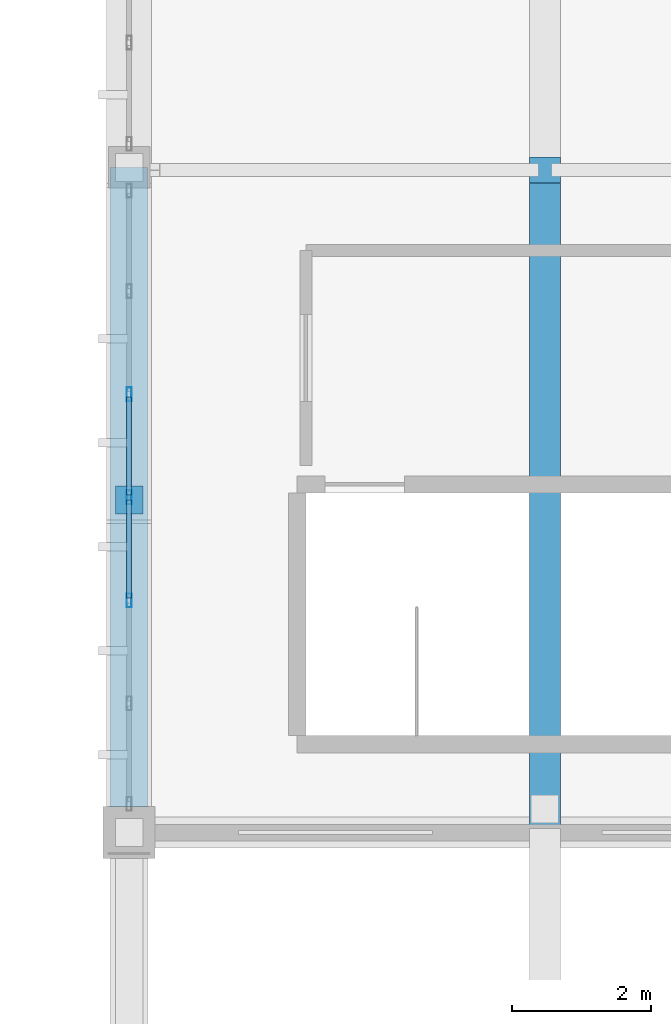
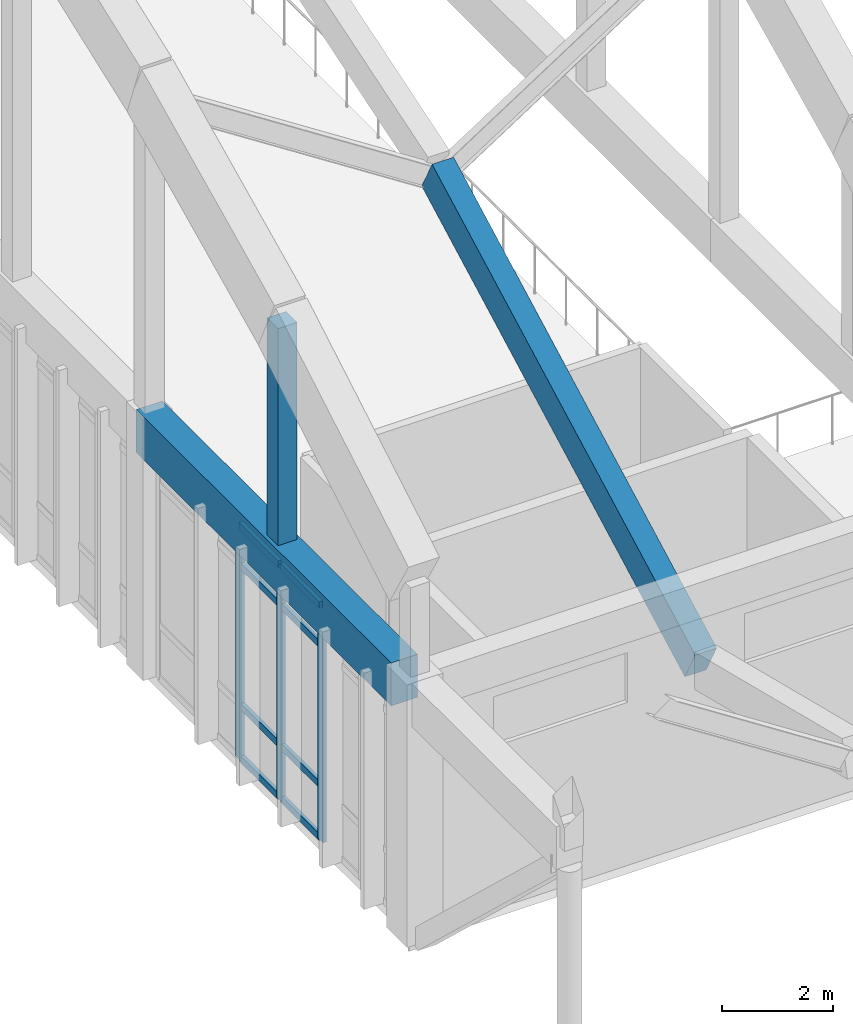
# One storey, part 30 of 236: 12 members, 2 beams, 1 element without a shape of its own.
"""IFC4 building model written with IfcOpenShell, lengths in metres."""

import ifcopenshell
import ifcopenshell.guid

model = None  # the IFC model being written
_history = None  # IfcOwnerHistory: only IFC2X3 demands one
_inside = {}  # id of a spatial element -> (the spatial element, [elements in it])
_under = {}  # id of a project, library or spatial element -> (it, [spatial elements below it])
_declared = {}  # id of a project -> (the project, [libraries it declares])
_typed = {}  # id of a type object -> (the type object, [elements of that type])
_made_of = {}  # id of a material, layer set ... -> (it, [elements and type objects made of it])


def new_model(schema):
    """Start an empty IFC model of exactly this schema.

    Asked for "IFC4X3", IfcOpenShell would pick the latest addendum, in which some entities
    have other attributes; the version numbers below select the first issue.
    IFC2X3 requires an IfcOwnerHistory on every rooted entity: one is made here for all.
    """
    global model, _history
    if schema == "IFC4X3":
        model = ifcopenshell.file(schema_version=(4, 3, 0, 0))
    else:
        model = ifcopenshell.file(schema=schema)
    _inside.clear()
    _under.clear()
    _declared.clear()
    _typed.clear()
    _made_of.clear()
    _history = None
    if model.schema == "IFC2X3":
        org = make("IfcOrganization", Name="unknown")
        user = make(
            "IfcPersonAndOrganization",
            ThePerson=make("IfcPerson", FamilyName="unknown"),
            TheOrganization=org,
        )
        app = make(
            "IfcApplication",
            ApplicationDeveloper=org,
            Version="unknown",
            ApplicationFullName="unknown",
            ApplicationIdentifier="unknown",
        )
        _history = make(
            "IfcOwnerHistory",
            OwningUser=user,
            OwningApplication=app,
            ChangeAction="ADDED",
            CreationDate=0,
        )
    return model


def make(cls, **values):
    """One entity of the class cls with the attributes given. An attribute that is None is left unset."""
    return model.create_entity(
        cls, **{name: value for name, value in values.items() if value is not None}
    )


def rooted(cls, **values):
    """An entity with a GlobalId (a new one), such as an element, a storey or a relation."""
    return make(cls, GlobalId=ifcopenshell.guid.new(), OwnerHistory=_history, **values)


def si_unit(unit_type, name, prefix=None):
    """IfcSIUnit, for example si_unit("LENGTHUNIT", "METRE", prefix="MILLI")."""
    return make("IfcSIUnit", UnitType=unit_type, Prefix=prefix, Name=name)


def assignment(units):
    """IfcUnitAssignment: the units of a project."""
    return None if units is None else make("IfcUnitAssignment", Units=units)


def point(xyz):
    """IfcCartesianPoint."""
    return None if xyz is None else make("IfcCartesianPoint", Coordinates=xyz)


def direction(xyz):
    """IfcDirection."""
    return None if xyz is None else make("IfcDirection", DirectionRatios=xyz)


def frame(location, z_axis=None, x_axis=None):
    """IfcAxis2Placement3D, a coordinate frame: its origin and axes. An axis left out is left unset."""
    return make(
        "IfcAxis2Placement3D",
        Location=point(location),
        Axis=direction(z_axis),
        RefDirection=direction(x_axis),
    )


def frame_2d(location, x_axis=None):
    """IfcAxis2Placement2D, a coordinate frame in the plane: its origin and x axis."""
    return make(
        "IfcAxis2Placement2D", Location=point(location), RefDirection=direction(x_axis)
    )


def origin():
    """The frame at (0, 0, 0) with its axes left unset."""
    return frame((0.0, 0.0, 0.0))


def origin_2d():
    """The frame at (0, 0) in the plane with its x axis left unset."""
    return frame_2d((0.0, 0.0))


def place(relative_to, where):
    """IfcLocalPlacement: puts the frame where relative to a parent placement (None: the world)."""
    return make(
        "IfcLocalPlacement", PlacementRelTo=relative_to, RelativePlacement=where
    )


def context(
    kind, dimensions, precision=None, world=None, true_north=None, identifier=None
):
    """IfcGeometricRepresentationContext, for example the 3D "Model" context."""
    return make(
        "IfcGeometricRepresentationContext",
        ContextIdentifier=identifier,
        ContextType=kind,
        CoordinateSpaceDimension=dimensions,
        Precision=precision,
        WorldCoordinateSystem=world,
        TrueNorth=true_north,
    )


def subcontext(parent, identifier, kind, view, scale=None):
    """IfcGeometricRepresentationSubContext, for example "Body" below "Model"."""
    return make(
        "IfcGeometricRepresentationSubContext",
        ContextIdentifier=identifier,
        ContextType=kind,
        ParentContext=parent,
        TargetScale=scale,
        TargetView=view,
    )


def project(units=None, contexts=None):
    """IfcProject with its units and contexts."""
    return rooted(
        "IfcProject",
        Name="project",
        RepresentationContexts=contexts,
        UnitsInContext=assignment(units),
    )


def spatial(cls, under=None, at=None, **own):
    """A site, building, storey or space (cls), placed at a placement, below another one or the project."""
    s = rooted(cls, ObjectPlacement=at, **own)
    if under is not None:
        _under.setdefault(under.id(), (under, []))[1].append(s)
    return s


def profile(cls, at=None, kind="AREA", **sizes):
    """A parametric profile (cls). Its sizes go by their IFC names, for example OverallWidth=200.0."""
    return make(cls, ProfileType=kind, Position=at, **sizes)


def rectangle(**sizes):
    """IfcRectangleProfileDef."""
    return profile("IfcRectangleProfileDef", **sizes)


def hollow_rectangle(**sizes):
    """IfcRectangleHollowProfileDef."""
    return profile("IfcRectangleHollowProfileDef", **sizes)


def extrude(swept, where, along, depth):
    """IfcExtrudedAreaSolid: the profile swept, set in the frame where, extruded along a direction by depth."""
    return make(
        "IfcExtrudedAreaSolid",
        SweptArea=swept,
        Position=where,
        ExtrudedDirection=direction(along),
        Depth=depth,
    )


def shape(context_of_items, identifier, shape_type, items):
    """IfcShapeRepresentation: the items that make up one representation, for example the "Body"."""
    return make(
        "IfcShapeRepresentation",
        ContextOfItems=context_of_items,
        RepresentationIdentifier=identifier,
        RepresentationType=shape_type,
        Items=items,
    )


def material(Name=None, Category=None):
    """IfcMaterial."""
    return make("IfcMaterial", Name=Name, Category=Category)


def layer(
    of_material, thickness, ventilated=None, Name=None, Category=None, Priority=None
):
    """IfcMaterialLayer: one layer of a wall or slab, of a material (None: an air gap)."""
    return make(
        "IfcMaterialLayer",
        Material=of_material,
        LayerThickness=thickness,
        IsVentilated=ventilated,
        Name=Name,
        Category=Category,
        Priority=Priority,
    )


def layer_set(layers, Name=None):
    """IfcMaterialLayerSet."""
    return make("IfcMaterialLayerSet", MaterialLayers=layers, LayerSetName=Name)


def material_profile(
    of_material, cross_section, Name=None, Category=None, Priority=None
):
    """IfcMaterialProfile: a cross section and its material."""
    return make(
        "IfcMaterialProfile",
        Name=Name,
        Material=of_material,
        Profile=cross_section,
        Priority=Priority,
        Category=Category,
    )


def profile_set(profiles, Name=None, composite=None):
    """IfcMaterialProfileSet."""
    return make(
        "IfcMaterialProfileSet",
        Name=Name,
        MaterialProfiles=profiles,
        CompositeProfile=composite,
    )


def made_of(thing, what):
    """Note that an element or type object is made of a material, layer set ...; save() writes the relation."""
    if what is not None:
        _made_of.setdefault(what.id(), (what, []))[1].append(thing)
    return thing


def type_object(cls, material=None, **own):
    """A type object (cls), such as IfcWallType, which elements share."""
    return made_of(rooted(cls, **own), material)


def element(
    cls,
    number,
    at=None,
    inside=None,
    cuts=None,
    type_object=None,
    material=None,
    context=None,
    identifier="Body",
    shape_type=None,
    held_by="IfcProductDefinitionShape",
    body=None,
    shapes=None,
    **own,
):
    """One element of the class cls, such as IfcWall. Its Tag is "e" and its number.

    at: its placement. inside: the storey or other place that contains it. cuts: it is an
    opening in that element (IfcRelVoidsElement). A single representation is given by context,
    identifier, shape_type and body (its items); several are given by shapes. held_by: the class
    of the entity that holds the representations. save() writes the other relations.
    """
    e = rooted(cls, Tag="e%d" % number, ObjectPlacement=at, **own)
    if body is not None:
        shapes = [shape(context, identifier, shape_type, body)]
    if shapes is not None:
        e.Representation = make(held_by, Representations=shapes)
    if inside is not None:
        _inside.setdefault(inside.id(), (inside, []))[1].append(e)
    if cuts is not None:
        rooted(
            "IfcRelVoidsElement", RelatingBuildingElement=cuts, RelatedOpeningElement=e
        )
    if type_object is not None:
        _typed.setdefault(type_object.id(), (type_object, []))[1].append(e)
    return made_of(e, material)


def aggregate(whole, parts):
    """IfcRelAggregates: a whole, such as a stair, and the parts it consists of."""
    return rooted("IfcRelAggregates", RelatingObject=whole, RelatedObjects=parts)


def save(model, path):
    """Write the relations noted so far, then the file.

    IfcRelAggregates (storeys below a building ...), IfcRelContainedInSpatialStructure (elements
    in a storey), IfcRelDefinesByType, IfcRelAssociatesMaterial and IfcRelDeclares: one each for
    every whole, place, type object, material and project.
    """
    for whole, parts in _under.values():
        aggregate(whole, parts)
    for where, things in _inside.values():
        rooted(
            "IfcRelContainedInSpatialStructure",
            RelatedElements=things,
            RelatingStructure=where,
        )
    for kind, things in _typed.values():
        rooted("IfcRelDefinesByType", RelatedObjects=things, RelatingType=kind)
    for what, things in _made_of.values():
        rooted("IfcRelAssociatesMaterial", RelatedObjects=things, RelatingMaterial=what)
    for by, libraries in _declared.values():
        rooted("IfcRelDeclares", RelatingContext=by, RelatedDefinitions=libraries)
    model.write(path)


model = new_model("IFC4")

# Units and contexts
model_context = context("Model", 3, precision=1e-05, world=origin(), true_north=direction((0.0, 1.0)))
body_context = subcontext(model_context, "Body", "Model", "MODEL_VIEW")
ifc_project = project(units=[si_unit("LENGTHUNIT", "METRE"), si_unit("AREAUNIT", "SQUARE_METRE"), si_unit("VOLUMEUNIT", "CUBIC_METRE"), si_unit("PLANEANGLEUNIT", "RADIAN"), si_unit("MASSUNIT", "GRAM", prefix="KILO")], contexts=[model_context])

# Site, building, storey
site_placement = place(None, origin())
site = spatial("IfcSite", under=ifc_project, at=site_placement, CompositionType="ELEMENT")
building_placement = place(site_placement, origin())
building = spatial("IfcBuilding", under=site, at=building_placement, Name="Pandanus Reach Market Hall", CompositionType="ELEMENT")
storey_placement = place(building_placement, frame((0.0, 0.0, 5.39990234375)))
storey = spatial("IfcBuildingStorey", under=building, at=storey_placement, Name="L01", CompositionType="ELEMENT", Elevation=5.39990234375)

# Member
ifc_material_1 = material(Name="Concrete N50 (50 MPa)", Category="concrete")
ifc_material_profile_1 = material_profile(ifc_material_1, rectangle(XDim=0.39990234375, YDim=0.39990234375, at=origin_2d()), Name="RC400x400", Category="LoadBearing")
ifc_profile_set_1 = profile_set([ifc_material_profile_1], Name="Concrete N50 (50 MPa)")
member_type_1 = type_object("IfcMemberType", Name="AR-WEB400-E", PredefinedType="STRUT", material=ifc_profile_set_1)
member_1_placement = place(storey_placement, frame((48.0, 33.60009765625, 5.3251953125), z_axis=(0.0, 0.0, 1.0), x_axis=(1.0, 0.0, 0.0)))
element("IfcMember", 1, at=member_1_placement, inside=storey, type_object=member_type_1, Name="Arch truss vertical web strut A1.1", PredefinedType="STRUT", context=body_context, shape_type="SweptSolid", body=[
    extrude(rectangle(XDim=0.39990234375, YDim=0.39990234375, at=origin_2d()), origin(), (0.0, 0.0, 1.0), 5.26611328125),
])

# Beams
ifc_material_2 = material(Name="Concrete N40 (40 MPa)", Category="concrete")
ifc_material_profile_2 = material_profile(ifc_material_2, rectangle(XDim=0.449951171875, YDim=0.800048828125, at=origin_2d()), Name="RC450x800", Category="LoadBearing")
ifc_profile_set_2 = profile_set([ifc_material_profile_2], Name="Concrete N40 (40 MPa)")
beam_type_1 = type_object("IfcBeamType", Name="BM-RC450-I", PredefinedType="BEAM", material=ifc_profile_set_2)
beam_1_placement = place(storey_placement, frame((54.0, 28.840087890625, 3.815673828125), z_axis=(0.0, 0.882689208935, 0.469957189996), x_axis=(-1.0, 0.0, 0.0)))
element("IfcBeam", 2, at=beam_1_placement, inside=storey, type_object=beam_type_1, Name="Butterfly valley beam B1.2", PredefinedType="BEAM", context=body_context, shape_type="SweptSolid", body=[
    extrude(rectangle(XDim=0.449951171875, YDim=0.800048828125, at=origin_2d()), origin(), (0.0, 0.0, 1.0), 10.78515625),
])
ifc_material_profile_3 = material_profile(ifc_material_1, rectangle(XDim=0.550048828125, YDim=0.949951171875, at=origin_2d()), Name="RC550x950", Category="LoadBearing")
ifc_profile_set_3 = profile_set([ifc_material_profile_3], Name="Concrete N50 (50 MPa)")
beam_type_2 = type_object("IfcBeamType", Name="BM-RC550-E", PredefinedType="BEAM", material=ifc_profile_set_3)
beam_2_placement = place(storey_placement, frame((48.0, 29.173095703125, 5.3251953125), z_axis=(0.0, 1.0, 0.0), x_axis=(-1.0, 0.0, 0.0)))
element("IfcBeam", 3, at=beam_2_placement, inside=storey, type_object=beam_type_2, Name="Parabolic arch tie girder A1.1", PredefinedType="BEAM", context=body_context, shape_type="SweptSolid", body=[
    extrude(rectangle(XDim=0.550048828125, YDim=0.949951171875, at=origin_2d()), origin(), (0.0, 0.0, 1.0), 9.226806640625),
])

# Curtain wall, members
ifc_material_3 = material(Name="Bronze anodised aluminium and low-E glass", Category="aluminium")
ifc_layer = layer(ifc_material_3, 0.199951171875, Name="CW-04")
ifc_layer_set = layer_set([ifc_layer], Name="Bronze anodised aluminium and low-E glass")
curtain_wall_type = type_object("IfcCurtainWallType", Name="CW-04", PredefinedType="NOTDEFINED", material=ifc_layer_set)
curtain_wall_placement = place(storey_placement, origin())
curtain_wall = element("IfcCurtainWall", 4, at=curtain_wall_placement, inside=storey, type_object=curtain_wall_type, Name="Glazed curtain wall CW-04 CW-0019", PredefinedType="NOTDEFINED")
ifc_material_4 = material(Name="Bronze anodised aluminium", Category="aluminium")
ifc_material_profile_4 = material_profile(ifc_material_4, hollow_rectangle(XDim=0.074951171875, YDim=0.199951171875, WallThickness=0.00439453125, at=origin_2d()), Name="ALU75x200", Category="LoadBearing")
ifc_profile_set_4 = profile_set([ifc_material_profile_4], Name="Bronze anodised aluminium")
member_type_2 = type_object("IfcMemberType", Name="CW-M2", PredefinedType="MULLION", material=ifc_profile_set_4)
member_2_placement = place(storey_placement, frame((48.0, 32.14990234375, 0.0), z_axis=(0.0, 0.0, 1.0), x_axis=(-1.0, 0.0, 0.0)))
member_2 = element("IfcMember", 5, at=member_2_placement, type_object=member_type_2, Name="CW-04 mullion 3", PredefinedType="MULLION", context=body_context, shape_type="SweptSolid", body=[
    extrude(hollow_rectangle(XDim=0.074951171875, YDim=0.199951171875, WallThickness=0.00439453125, at=origin_2d()), origin(), (0.0, 0.0, 1.0), 5.2001953125),
])
member_3_placement = place(storey_placement, frame((48.0, 33.637451171875, 0.0), z_axis=(0.0, 0.0, 1.0), x_axis=(-1.0, 0.0, 0.0)))
member_3 = element("IfcMember", 6, at=member_3_placement, type_object=member_type_2, Name="CW-04 mullion 4", PredefinedType="MULLION", context=body_context, shape_type="SweptSolid", body=[
    extrude(hollow_rectangle(XDim=0.074951171875, YDim=0.199951171875, WallThickness=0.00439453125, at=origin_2d()), origin(), (0.0, 0.0, 1.0), 5.2001953125),
])
member_4_placement = place(storey_placement, frame((48.0, 35.125, 0.0), z_axis=(0.0, 0.0, 1.0), x_axis=(-1.0, 0.0, 0.0)))
member_4 = element("IfcMember", 7, at=member_4_placement, type_object=member_type_2, Name="CW-04 mullion 5", PredefinedType="MULLION", context=body_context, shape_type="SweptSolid", body=[
    extrude(hollow_rectangle(XDim=0.074951171875, YDim=0.199951171875, WallThickness=0.00439453125, at=origin_2d()), origin(), (0.0, 0.0, 1.0), 5.2001953125),
])
ifc_material_profile_5 = material_profile(ifc_material_4, hollow_rectangle(XDim=0.074951171875, YDim=0.14990234375, WallThickness=0.00439453125, at=origin_2d()), Name="ALU75x150", Category="LoadBearing")
ifc_profile_set_5 = profile_set([ifc_material_profile_5], Name="Bronze anodised aluminium")
member_type_3 = type_object("IfcMemberType", Name="CW-T2", PredefinedType="USERDEFINED", material=ifc_profile_set_5)
member_5_placement = place(storey_placement, frame((48.0, 32.1875, 0.03759765625), z_axis=(0.0, 1.0, 0.0), x_axis=(-1.0, 0.0, 0.0)))
member_5 = element("IfcMember", 8, at=member_5_placement, type_object=member_type_3, Name="CW-04 transom 3.1", ObjectType="TRANSOM", PredefinedType="USERDEFINED", context=body_context, shape_type="SweptSolid", body=[
    extrude(hollow_rectangle(XDim=0.074951171875, YDim=0.14990234375, WallThickness=0.00439453125, at=origin_2d()), origin(), (0.0, 0.0, 1.0), 1.41259765625),
])
member_6_placement = place(storey_placement, frame((48.0, 32.1875, 1.2001953125), z_axis=(0.0, 1.0, 0.0), x_axis=(-1.0, 0.0, 0.0)))
member_6 = element("IfcMember", 9, at=member_6_placement, type_object=member_type_3, Name="CW-04 transom 3.2", ObjectType="TRANSOM", PredefinedType="USERDEFINED", context=body_context, shape_type="SweptSolid", body=[
    extrude(hollow_rectangle(XDim=0.074951171875, YDim=0.14990234375, WallThickness=0.00439453125, at=origin_2d()), origin(), (0.0, 0.0, 1.0), 1.41259765625),
])
member_7_placement = place(storey_placement, frame((48.0, 32.1875, 4.300048828125), z_axis=(0.0, 1.0, 0.0), x_axis=(-1.0, 0.0, 0.0)))
member_7 = element("IfcMember", 10, at=member_7_placement, type_object=member_type_3, Name="CW-04 transom 3.3", ObjectType="TRANSOM", PredefinedType="USERDEFINED", context=body_context, shape_type="SweptSolid", body=[
    extrude(hollow_rectangle(XDim=0.074951171875, YDim=0.14990234375, WallThickness=0.00439453125, at=origin_2d()), origin(), (0.0, 0.0, 1.0), 1.41259765625),
])
member_8_placement = place(storey_placement, frame((48.0, 32.1875, 5.16259765625), z_axis=(0.0, 1.0, 0.0), x_axis=(-1.0, 0.0, 0.0)))
member_8 = element("IfcMember", 11, at=member_8_placement, type_object=member_type_3, Name="CW-04 transom 3.4", ObjectType="TRANSOM", PredefinedType="USERDEFINED", context=body_context, shape_type="SweptSolid", body=[
    extrude(hollow_rectangle(XDim=0.074951171875, YDim=0.14990234375, WallThickness=0.00439453125, at=origin_2d()), origin(), (0.0, 0.0, 1.0), 1.41259765625),
])
member_9_placement = place(storey_placement, frame((48.0, 33.675048828125, 0.03759765625), z_axis=(0.0, 1.0, 0.0), x_axis=(-1.0, 0.0, 0.0)))
member_9 = element("IfcMember", 12, at=member_9_placement, type_object=member_type_3, Name="CW-04 transom 4.1", ObjectType="TRANSOM", PredefinedType="USERDEFINED", context=body_context, shape_type="SweptSolid", body=[
    extrude(hollow_rectangle(XDim=0.074951171875, YDim=0.14990234375, WallThickness=0.00439453125, at=origin_2d()), origin(), (0.0, 0.0, 1.0), 1.412353515625),
])
member_10_placement = place(storey_placement, frame((48.0, 33.675048828125, 1.2001953125), z_axis=(0.0, 1.0, 0.0), x_axis=(-1.0, 0.0, 0.0)))
member_10 = element("IfcMember", 13, at=member_10_placement, type_object=member_type_3, Name="CW-04 transom 4.2", ObjectType="TRANSOM", PredefinedType="USERDEFINED", context=body_context, shape_type="SweptSolid", body=[
    extrude(hollow_rectangle(XDim=0.074951171875, YDim=0.14990234375, WallThickness=0.00439453125, at=origin_2d()), origin(), (0.0, 0.0, 1.0), 1.412353515625),
])
member_11_placement = place(storey_placement, frame((48.0, 33.675048828125, 4.300048828125), z_axis=(0.0, 1.0, 0.0), x_axis=(-1.0, 0.0, 0.0)))
member_11 = element("IfcMember", 14, at=member_11_placement, type_object=member_type_3, Name="CW-04 transom 4.3", ObjectType="TRANSOM", PredefinedType="USERDEFINED", context=body_context, shape_type="SweptSolid", body=[
    extrude(hollow_rectangle(XDim=0.074951171875, YDim=0.14990234375, WallThickness=0.00439453125, at=origin_2d()), origin(), (0.0, 0.0, 1.0), 1.412353515625),
])
member_12_placement = place(storey_placement, frame((48.0, 33.675048828125, 5.16259765625), z_axis=(0.0, 1.0, 0.0), x_axis=(-1.0, 0.0, 0.0)))
member_12 = element("IfcMember", 15, at=member_12_placement, type_object=member_type_3, Name="CW-04 transom 4.4", ObjectType="TRANSOM", PredefinedType="USERDEFINED", context=body_context, shape_type="SweptSolid", body=[
    extrude(hollow_rectangle(XDim=0.074951171875, YDim=0.14990234375, WallThickness=0.00439453125, at=origin_2d()), origin(), (0.0, 0.0, 1.0), 1.412353515625),
])
aggregate(curtain_wall, [member_2, member_3, member_4, member_5, member_6, member_7, member_8, member_9, member_10, member_11, member_12])

save(model, "model.ifc")
